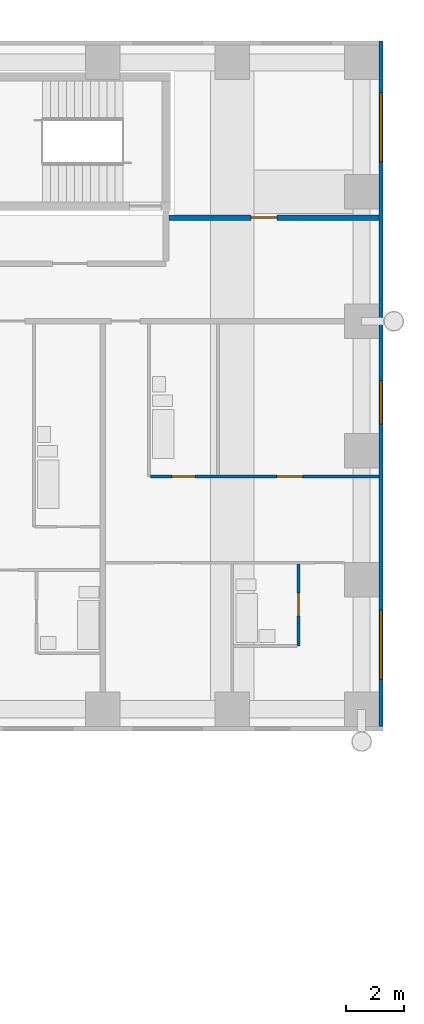
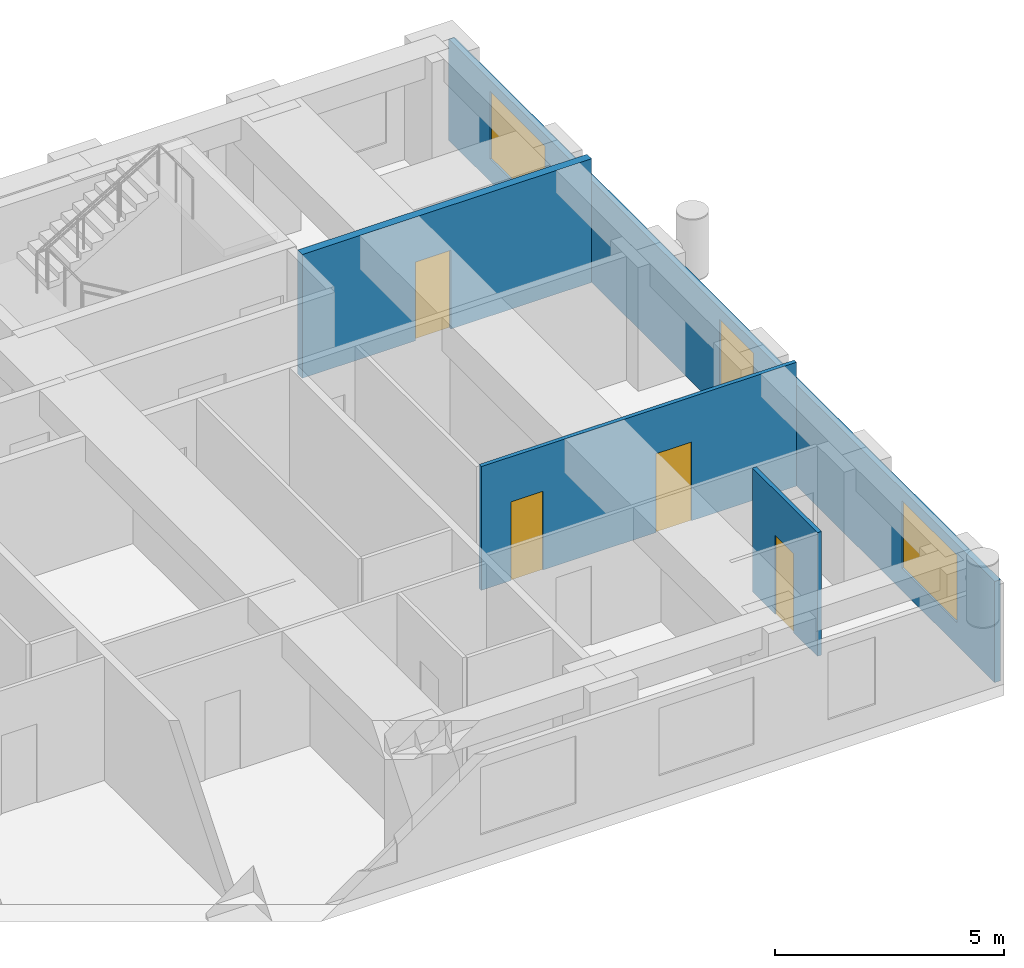
# One storey, part 11 of 14: 4 doors, 4 walls, 3 windows, 7 openings.
"""IFC4 building model written with IfcOpenShell, lengths in metres."""

from ifc_helpers import new_model, si_unit, direction, frame, frame_2d, origin, place, context, subcontext, project, spatial, rectangle, extrude, material, layer, layer_set, type_object, element, fill, save


model = new_model("IFC4")

# Units and contexts
model_context = context("Model", 3, precision=1e-05, world=origin(), true_north=direction((0.0, 1.0)))
body_context = subcontext(model_context, "Body", "Model", "MODEL_VIEW")
ifc_project = project(units=[si_unit("LENGTHUNIT", "METRE"), si_unit("AREAUNIT", "SQUARE_METRE"), si_unit("VOLUMEUNIT", "CUBIC_METRE"), si_unit("PLANEANGLEUNIT", "RADIAN"), si_unit("MASSUNIT", "GRAM", prefix="KILO")], contexts=[model_context])

# Site, building, storey
site_placement = place(None, origin())
site = spatial("IfcSite", under=ifc_project, at=site_placement, CompositionType="ELEMENT")
building_placement = place(site_placement, origin())
building = spatial("IfcBuilding", under=site, at=building_placement, Name="Firuza Court", CompositionType="ELEMENT")
storey_placement = place(building_placement, frame((0.0, 0.0, 68.60009765625)))
storey = spatial("IfcBuildingStorey", under=building, at=storey_placement, Name="L16", CompositionType="ELEMENT", Elevation=68.60009765625)

# Wall, opening, door
ifc_material_1 = material(Name="Moisture-resistant gypsum board partition")
ifc_layer_1 = layer(ifc_material_1, 0.10009765625)
ifc_layer_set_1 = layer_set([ifc_layer_1], Name="Moisture-resistant gypsum board partition")
wall_type_1 = type_object("IfcWallType", Name="Bathroom partition 100", PredefinedType="PLUMBINGWALL", material=ifc_layer_set_1)
wall_1_placement = place(storey_placement, frame((65.300048828125, 38.199951171875, 0.0), z_axis=(0.0, 0.0, 1.0), x_axis=(0.0, 1.0, 0.0)))
wall_1 = element("IfcWall", 1, at=wall_1_placement, inside=storey, type_object=wall_type_1, Name="Bathroom partition 100 L16", PredefinedType="PLUMBINGWALL", context=body_context, shape_type="SweptSolid", body=[
    extrude(rectangle(XDim=2.85009765625, YDim=0.10009765625, at=frame_2d((1.425048828125, 0.0))), origin(), (0.0, 0.0, 1.0), 3.2998046875),
])
opening_1_placement = place(wall_1_placement, frame((1.050048828125, 0.0, 0.0)))
opening_1 = element("IfcOpeningElement", 2, at=opening_1_placement, cuts=wall_1, Name="Opening D16045", PredefinedType="OPENING", context=body_context, shape_type="SweptSolid", body=[
    extrude(rectangle(XDim=0.800048828125, YDim=2.10009765625, at=frame_2d((0.39990234375, 1.050048828125))), frame((0.0, 0.06201171875, 0.0), z_axis=(0.0, -1.0, 0.0), x_axis=(1.0, 0.0, 0.0)), (0.0, 0.0, 1.0), 0.1240234375),
])
ifc_material_2 = material(Name="Timber door leaf in hardwood frame", Category="wood")
door_type_1 = type_object("IfcDoorType", Name="Bathroom door 800", OperationType="SINGLE_SWING_LEFT", PredefinedType="DOOR", material=ifc_material_2)
door_1_placement = place(opening_1_placement, origin())
door_1 = element("IfcDoor", 3, at=door_1_placement, inside=storey, type_object=door_type_1, Name="En-suite door", OperationType="SINGLE_SWING_LEFT", OverallHeight=2.10009765625, OverallWidth=0.800048828125, PredefinedType="DOOR", context=body_context, shape_type="SweptSolid", body=[
    extrude(rectangle(XDim=0.800048828125, YDim=2.10009765625, at=frame_2d((0.39990234375, 1.050048828125))), frame((0.0, 0.02490234375, 0.0), z_axis=(0.0, -1.0, 0.0), x_axis=(1.0, 0.0, 0.0)), (0.0, 0.0, 1.0), 0.050048828125),
])
fill(opening_1, door_1)

ifc_material_3 = material(Name="Blockwork, plastered both sides", Category="masonry")
ifc_layer_2 = layer(ifc_material_3, 0.199951171875)
ifc_layer_set_2 = layer_set([ifc_layer_2], Name="Blockwork, plastered both sides")
wall_type_2 = type_object("IfcWallType", Name="Corridor wall 200", PredefinedType="PARTITIONING", material=ifc_layer_set_2)
wall_2_placement = place(storey_placement, frame((60.800048828125, 53.10009765625, 0.0), z_axis=(0.0, 0.0, 1.0), x_axis=(1.0, 0.0, 0.0)))
wall_2 = element("IfcWall", 4, at=wall_2_placement, inside=storey, type_object=wall_type_2, Name="Corridor wall 200 L16", PredefinedType="PARTITIONING", context=body_context, shape_type="SweptSolid", body=[
    extrude(rectangle(XDim=7.300048828125, YDim=0.199951171875, at=frame_2d((3.64990234375, 0.0))), origin(), (0.0, 0.0, 1.0), 3.2998046875),
])
opening_2_placement = place(wall_2_placement, frame((2.85009765625, 0.0, 0.0)))
opening_2 = element("IfcOpeningElement", 5, at=opening_2_placement, cuts=wall_2, Name="Opening D16079", PredefinedType="OPENING", context=body_context, shape_type="SweptSolid", body=[
    extrude(rectangle(XDim=0.89990234375, YDim=2.10009765625, at=frame_2d((0.449951171875, 1.050048828125))), frame((0.0, 0.11181640625, 0.0), z_axis=(0.0, -1.0, 0.0), x_axis=(1.0, 0.0, 0.0)), (0.0, 0.0, 1.0), 0.223876953125),
])
ifc_material_4 = material(Name="Timber door leaf in hardwood frame", Category="wood")
door_type_2 = type_object("IfcDoorType", Name="Room door 900 EI 30", OperationType="SINGLE_SWING_LEFT", PredefinedType="DOOR", material=ifc_material_4)
door_2_placement = place(opening_2_placement, origin())
door_2 = element("IfcDoor", 6, at=door_2_placement, inside=storey, type_object=door_type_2, Name="Meeting room door", OperationType="SINGLE_SWING_LEFT", OverallHeight=2.10009765625, OverallWidth=0.89990234375, PredefinedType="DOOR", context=body_context, shape_type="SweptSolid", body=[
    extrude(rectangle(XDim=0.89990234375, YDim=2.10009765625, at=frame_2d((0.449951171875, 1.050048828125))), frame((0.0, 0.02490234375, 0.0), z_axis=(0.0, -1.0, 0.0), x_axis=(1.0, 0.0, 0.0)), (0.0, 0.0, 1.0), 0.050048828125),
])
fill(opening_2, door_2)

# Wall, openings, doors
ifc_material_5 = material(Name="Timber stud partition, plasterboard both sides", Category="wood")
ifc_layer_3 = layer(ifc_material_5, 0.10009765625)
ifc_layer_set_3 = layer_set([ifc_layer_3], Name="Timber stud partition, plasterboard both sides")
wall_type_3 = type_object("IfcWallType", Name="Partition wall 100", PredefinedType="PARTITIONING", material=ifc_layer_set_3)
wall_3_placement = place(storey_placement, frame((60.14990234375, 44.10009765625, 0.0), z_axis=(0.0, 0.0, 1.0), x_axis=(1.0, 0.0, 0.0)))
wall_3 = element("IfcWall", 7, at=wall_3_placement, inside=storey, type_object=wall_type_3, Name="Partition wall 100 L16", PredefinedType="PARTITIONING", context=body_context, shape_type="SweptSolid", body=[
    extrude(rectangle(XDim=7.9501953125, YDim=0.10009765625, at=frame_2d((3.97509765625, 0.0))), origin(), (0.0, 0.0, 1.0), 3.2998046875),
])
opening_3_placement = place(wall_3_placement, frame((0.75, 0.0, 0.0)))
opening_3 = element("IfcOpeningElement", 8, at=opening_3_placement, cuts=wall_3, Name="Opening D16067", PredefinedType="OPENING", context=body_context, shape_type="SweptSolid", body=[
    extrude(rectangle(XDim=0.800048828125, YDim=2.10009765625, at=frame_2d((0.39990234375, 1.050048828125))), frame((0.0, 0.06201171875, 0.0), z_axis=(0.0, -1.0, 0.0), x_axis=(1.0, 0.0, 0.0)), (0.0, 0.0, 1.0), 0.1240234375),
])
opening_4_placement = place(wall_3_placement, frame((4.39990234375, 0.0, 0.0)))
opening_4 = element("IfcOpeningElement", 9, at=opening_4_placement, cuts=wall_3, Name="Opening D16068", PredefinedType="OPENING", context=body_context, shape_type="SweptSolid", body=[
    extrude(rectangle(XDim=0.89990234375, YDim=2.10009765625, at=frame_2d((0.449951171875, 1.050048828125))), frame((0.0, 0.06201171875, 0.0), z_axis=(0.0, -1.0, 0.0), x_axis=(1.0, 0.0, 0.0)), (0.0, 0.0, 1.0), 0.1240234375),
])
door_3_placement = place(opening_3_placement, origin())
door_3 = element("IfcDoor", 10, at=door_3_placement, inside=storey, type_object=door_type_1, Name="Bathroom door", OperationType="SINGLE_SWING_LEFT", OverallHeight=2.10009765625, OverallWidth=0.800048828125, PredefinedType="DOOR", context=body_context, shape_type="SweptSolid", body=[
    extrude(rectangle(XDim=0.800048828125, YDim=2.10009765625, at=frame_2d((0.39990234375, 1.050048828125))), frame((0.0, 0.02490234375, 0.0), z_axis=(0.0, -1.0, 0.0), x_axis=(1.0, 0.0, 0.0)), (0.0, 0.0, 1.0), 0.050048828125),
])
fill(opening_3, door_3)
ifc_material_6 = material(Name="Timber door leaf in hardwood frame", Category="wood")
door_type_3 = type_object("IfcDoorType", Name="Room door 900", OperationType="SINGLE_SWING_LEFT", PredefinedType="DOOR", material=ifc_material_6)
door_4_placement = place(opening_4_placement, origin())
door_4 = element("IfcDoor", 11, at=door_4_placement, inside=storey, type_object=door_type_3, Name="Kitchen door", OperationType="SINGLE_SWING_LEFT", OverallHeight=2.10009765625, OverallWidth=0.89990234375, PredefinedType="DOOR", context=body_context, shape_type="SweptSolid", body=[
    extrude(rectangle(XDim=0.89990234375, YDim=2.10009765625, at=frame_2d((0.449951171875, 1.050048828125))), frame((0.0, 0.02490234375, 0.0), z_axis=(0.0, -1.0, 0.0), x_axis=(1.0, 0.0, 0.0)), (0.0, 0.0, 1.0), 0.050048828125),
])
fill(opening_4, door_4)

# Wall, openings, windows
ifc_material_7 = material(Name="Ceramic tile", Category="ceramic")
ifc_layer_4 = layer(ifc_material_7, 0.02001953125)
ifc_material_8 = material(Name="Mineral wool insulation", Category="insulation")
ifc_layer_5 = layer(ifc_material_8, 0.050048828125)
ifc_material_9 = material(Name="Concrete C40/50 precast", Category="concrete")
ifc_layer_6 = layer(ifc_material_9, 0.080078125)
ifc_layer_set_4 = layer_set([ifc_layer_4, ifc_layer_5, ifc_layer_6], Name="Concrete C40/50 precast")
wall_type_4 = type_object("IfcWallType", Name="Precast cladding wall with turquoise TILE PANEL face 150", PredefinedType="STANDARD", material=ifc_layer_set_4)
wall_4_placement = place(storey_placement, frame((68.175048828125, 35.39990234375, 0.0), z_axis=(0.0, 0.0, 1.0), x_axis=(0.0, 1.0, 0.0)))
wall_4 = element("IfcWall", 12, at=wall_4_placement, inside=storey, type_object=wall_type_4, Name="Facade wall L16 E", PredefinedType="STANDARD", context=body_context, shape_type="SweptSolid", body=[
    extrude(rectangle(XDim=23.85009765625, YDim=0.14990234375, at=frame_2d((11.925048828125, 0.0))), origin(), (0.0, 0.0, 1.0), 2.699951171875),
])
opening_5_placement = place(wall_4_placement, frame((1.64990234375, 0.0, 0.60009765625)))
opening_5 = element("IfcOpeningElement", 13, at=opening_5_placement, cuts=wall_4, Name="Opening W1", PredefinedType="OPENING", context=body_context, shape_type="SweptSolid", body=[
    extrude(rectangle(XDim=2.39990234375, YDim=1.800048828125, at=frame_2d((1.199951171875, 0.89990234375))), frame((0.0, 0.0869140625, 0.0), z_axis=(0.0, -1.0, 0.0), x_axis=(1.0, 0.0, 0.0)), (0.0, 0.0, 1.0), 0.173828125),
])
opening_6_placement = place(wall_4_placement, frame((10.529541015625, 0.0, 0.60009765625)))
opening_6 = element("IfcOpeningElement", 14, at=opening_6_placement, cuts=wall_4, Name="Opening W2", PredefinedType="OPENING", context=body_context, shape_type="SweptSolid", body=[
    extrude(rectangle(XDim=1.5, YDim=1.800048828125, at=frame_2d((0.75, 0.89990234375))), frame((0.0, 0.0869140625, 0.0), z_axis=(0.0, -1.0, 0.0), x_axis=(1.0, 0.0, 0.0)), (0.0, 0.0, 1.0), 0.173828125),
])
opening_7_placement = place(wall_4_placement, frame((19.64990234375, 0.0, 0.60009765625)))
opening_7 = element("IfcOpeningElement", 15, at=opening_7_placement, cuts=wall_4, Name="Opening W1", PredefinedType="OPENING", context=body_context, shape_type="SweptSolid", body=[
    extrude(rectangle(XDim=2.39990234375, YDim=1.800048828125, at=frame_2d((1.199951171875, 0.89990234375))), frame((0.0, 0.0869140625, 0.0), z_axis=(0.0, -1.0, 0.0), x_axis=(1.0, 0.0, 0.0)), (0.0, 0.0, 1.0), 0.173828125),
])
ifc_material_10 = material(Name="Aluminium frame, triple clear glazing", Category="aluminium")
window_type_1 = type_object("IfcWindowType", Name="Window W1 2400 x 1800", PartitioningType="SINGLE_PANEL", PredefinedType="WINDOW", material=ifc_material_10)
window_1_placement = place(opening_5_placement, origin())
window_1 = element("IfcWindow", 16, at=window_1_placement, inside=storey, type_object=window_type_1, Name="Window L16", OverallHeight=1.800048828125, OverallWidth=2.39990234375, PartitioningType="SINGLE_PANEL", PredefinedType="WINDOW", context=body_context, shape_type="SweptSolid", body=[
    extrude(rectangle(XDim=2.39990234375, YDim=1.800048828125, at=frame_2d((1.199951171875, 0.89990234375))), frame((0.0, 0.030029296875, 0.0), z_axis=(0.0, -1.0, 0.0), x_axis=(1.0, 0.0, 0.0)), (0.0, 0.0, 1.0), 0.06005859375),
])
fill(opening_5, window_1)
window_2_placement = place(opening_7_placement, origin())
window_2 = element("IfcWindow", 17, at=window_2_placement, inside=storey, type_object=window_type_1, Name="Window L16", OverallHeight=1.800048828125, OverallWidth=2.39990234375, PartitioningType="SINGLE_PANEL", PredefinedType="WINDOW", context=body_context, shape_type="SweptSolid", body=[
    extrude(rectangle(XDim=2.39990234375, YDim=1.800048828125, at=frame_2d((1.199951171875, 0.89990234375))), frame((0.0, 0.030029296875, 0.0), z_axis=(0.0, -1.0, 0.0), x_axis=(1.0, 0.0, 0.0)), (0.0, 0.0, 1.0), 0.06005859375),
])
fill(opening_7, window_2)
ifc_material_11 = material(Name="Aluminium frame, triple clear glazing", Category="aluminium")
window_type_2 = type_object("IfcWindowType", Name="Window W2 1500 x 1800", PartitioningType="SINGLE_PANEL", PredefinedType="WINDOW", material=ifc_material_11)
window_3_placement = place(opening_6_placement, origin())
window_3 = element("IfcWindow", 18, at=window_3_placement, inside=storey, type_object=window_type_2, Name="Window L16", OverallHeight=1.800048828125, OverallWidth=1.5, PartitioningType="SINGLE_PANEL", PredefinedType="WINDOW", context=body_context, shape_type="SweptSolid", body=[
    extrude(rectangle(XDim=1.5, YDim=1.800048828125, at=frame_2d((0.75, 0.89990234375))), frame((0.0, 0.030029296875, 0.0), z_axis=(0.0, -1.0, 0.0), x_axis=(1.0, 0.0, 0.0)), (0.0, 0.0, 1.0), 0.06005859375),
])
fill(opening_6, window_3)

save(model, "model.ifc")
